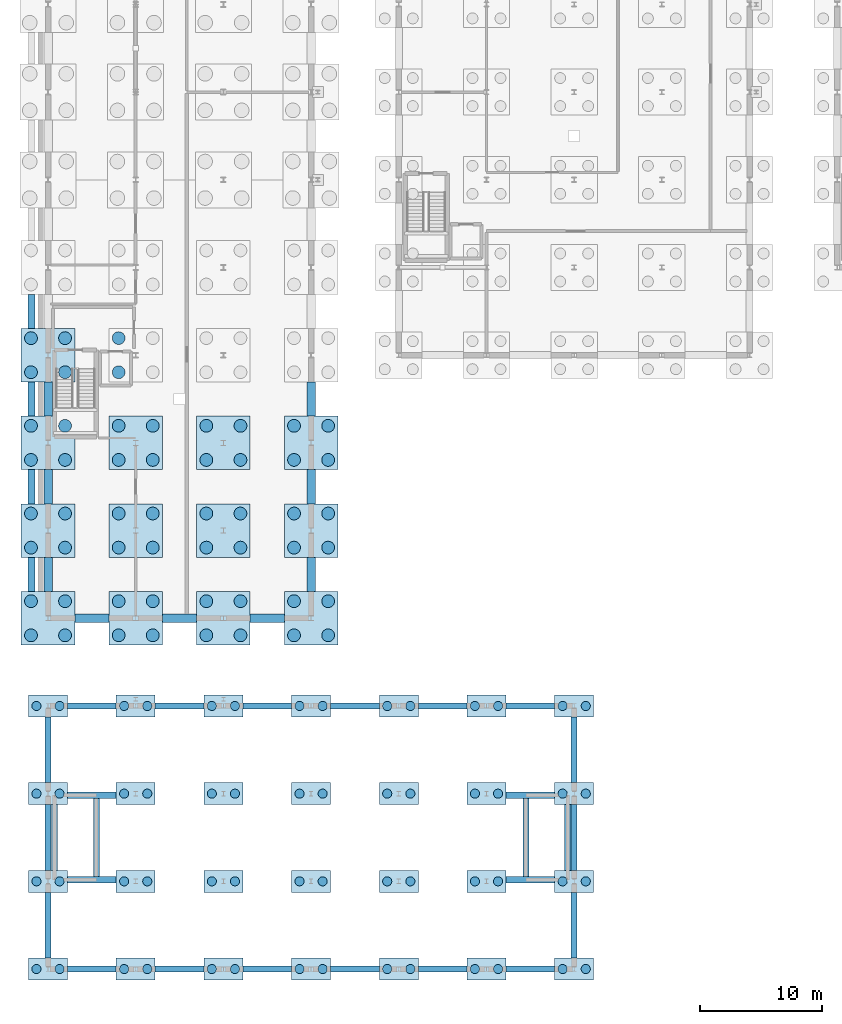
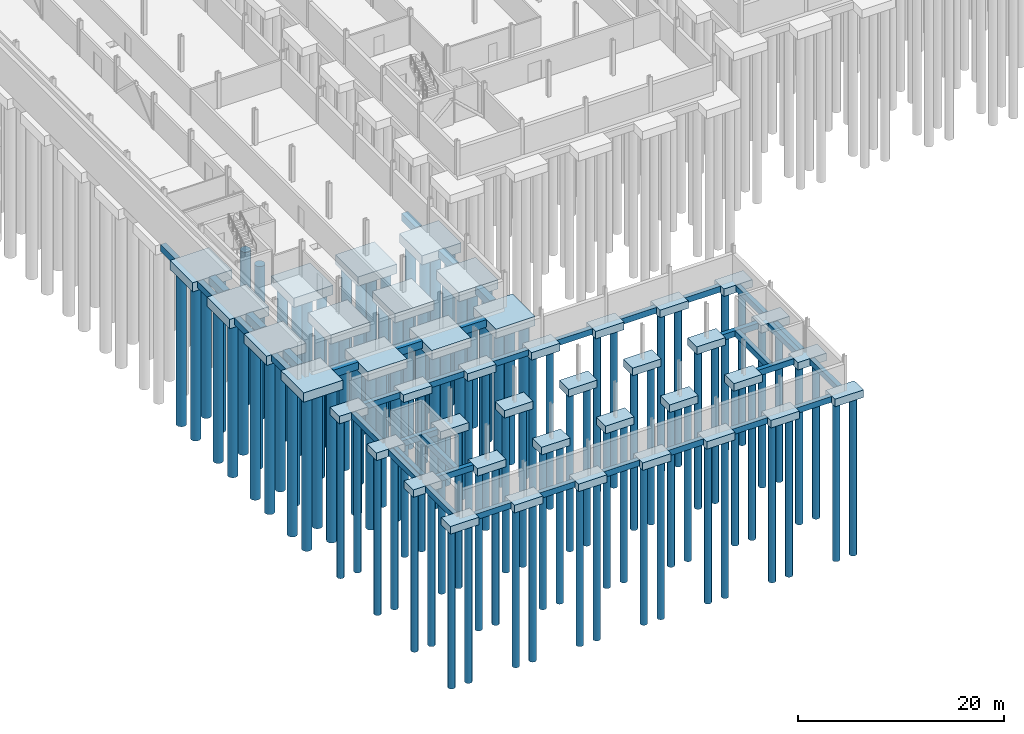
# One storey, part 1 of 50: 110 piles, 80 footings.
"""IFC4 building model written with IfcOpenShell, lengths in metres."""

from ifc_helpers import new_model, si_unit, direction, frame, origin, origin_2d, place, context, subcontext, project, spatial, rectangle, circle, extrude, material, layer, layer_set, material_profile, profile_set, type_object, element, save


model = new_model("IFC4")

# Units and contexts
model_context = context("Model", 3, precision=1e-05, world=origin(), true_north=direction((0.0, 1.0)))
body_context = subcontext(model_context, "Body", "Model", "MODEL_VIEW")
ifc_project = project(units=[si_unit("LENGTHUNIT", "METRE"), si_unit("AREAUNIT", "SQUARE_METRE"), si_unit("VOLUMEUNIT", "CUBIC_METRE"), si_unit("PLANEANGLEUNIT", "RADIAN"), si_unit("MASSUNIT", "GRAM", prefix="KILO")], contexts=[model_context])

# Site, building, storey
site_placement = place(None, origin())
site = spatial("IfcSite", under=ifc_project, at=site_placement, CompositionType="ELEMENT")
building_placement = place(site_placement, origin())
building = spatial("IfcBuilding", under=site, at=building_placement, Name="Narikvali Park Central Library", CompositionType="ELEMENT")
storey_placement = place(building_placement, frame((0.0, 0.0, -4.199951171875)))
storey = spatial("IfcBuildingStorey", under=building, at=storey_placement, Name="B1", CompositionType="ELEMENT", Elevation=-4.199951171875)

# Piles
ifc_material = material(Name="Concrete C35/45", Category="concrete")
ifc_material_profile_1 = material_profile(ifc_material, circle(Radius=0.52490234375, at=origin_2d()), Name="PILE D1050")
ifc_profile_set_1 = profile_set([ifc_material_profile_1], Name="Concrete C35/45")
pile_type_1 = type_object("IfcPileType", Name="Bored Pile D1050", PredefinedType="BORED", material=ifc_profile_set_1)
for number, where, z_axis, x_axis, name in (
    (1, (-1.39990234375, 27.39990234375, -1.60009765625), (0.0, 0.0, -1.0), (1.0, 0.0, 0.0), "Bored Pile (-1.40,27.40)"),
    (2, (1.39990234375, 27.39990234375, -1.60009765625), (0.0, 0.0, -1.0), (1.0, 0.0, 0.0), "Bored Pile (1.40,27.40)"),
    (3, (-1.39990234375, 30.199951171875, -1.60009765625), (0.0, 0.0, -1.0), (1.0, 0.0, 0.0), "Bored Pile (-1.40,30.20)"),
    (4, (1.39990234375, 30.199951171875, -1.60009765625), (0.0, 0.0, -1.0), (1.0, 0.0, 0.0), "Bored Pile (1.40,30.20)"),
    (5, (-1.39990234375, 34.60009765625, -1.60009765625), (0.0, 0.0, -1.0), (1.0, 0.0, 0.0), "Bored Pile (-1.40,34.60)"),
    (6, (1.39990234375, 34.60009765625, -1.60009765625), (0.0, 0.0, -1.0), (1.0, 0.0, 0.0), "Bored Pile (1.40,34.60)"),
    (7, (-1.39990234375, 37.39990234375, -1.60009765625), (0.0, 0.0, -1.0), (1.0, 0.0, 0.0), "Bored Pile (-1.40,37.40)"),
    (8, (1.39990234375, 37.39990234375, -1.60009765625), (0.0, 0.0, -1.0), (1.0, 0.0, 0.0), "Bored Pile (1.40,37.40)"),
    (9, (-1.39990234375, 41.800048828125, -1.60009765625), (0.0, 0.0, -1.0), (1.0, 0.0, 0.0), "Bored Pile (-1.40,41.80)"),
    (10, (1.39990234375, 41.800048828125, -1.60009765625), (0.0, 0.0, -1.0), (1.0, 0.0, 0.0), "Bored Pile (1.40,41.80)"),
    (11, (-1.39990234375, 44.60009765625, -1.60009765625), (0.0, 0.0, -1.0), (1.0, 0.0, 0.0), "Bored Pile (-1.40,44.60)"),
    (12, (1.39990234375, 44.60009765625, -1.60009765625), (0.0, 0.0, -1.0), (1.0, 0.0, 0.0), "Bored Pile (1.40,44.60)"),
    (13, (-1.39990234375, 49.0, -1.60009765625), (0.0, 0.0, -1.0), (1.0, 0.0, 0.0), "Bored Pile (-1.40,49.00)"),
    (14, (1.39990234375, 49.0, -1.60009765625), (0.0, 0.0, -1.0), (1.0, 0.0, 0.0), "Bored Pile (1.40,49.00)"),
    (15, (-1.39990234375, 51.800048828125, -1.60009765625), (0.0, 0.0, -1.0), (1.0, 0.0, 0.0), "Bored Pile (-1.40,51.80)"),
    (16, (1.39990234375, 51.800048828125, -1.60009765625), (0.0, 0.0, -1.0), (1.0, 0.0, 0.0), "Bored Pile (1.40,51.80)"),
    (17, (5.800048828125, 27.39990234375, -1.60009765625), (0.0, 0.0, -1.0), (1.0, 0.0, 0.0), "Bored Pile (5.80,27.40)"),
    (18, (8.60009765625, 27.39990234375, -1.60009765625), (0.0, 0.0, -1.0), (1.0, 0.0, 0.0), "Bored Pile (8.60,27.40)"),
    (19, (5.800048828125, 30.199951171875, -1.60009765625), (0.0, 0.0, -1.0), (1.0, 0.0, 0.0), "Bored Pile (5.80,30.20)"),
    (20, (8.60009765625, 30.199951171875, -1.60009765625), (0.0, 0.0, -1.0), (1.0, 0.0, 0.0), "Bored Pile (8.60,30.20)"),
    (21, (5.800048828125, 34.60009765625, -1.60009765625), (0.0, 0.0, -1.0), (1.0, 0.0, 0.0), "Bored Pile (5.80,34.60)"),
    (22, (8.60009765625, 34.60009765625, -1.60009765625), (0.0, 0.0, -1.0), (1.0, 0.0, 0.0), "Bored Pile (8.60,34.60)"),
    (23, (5.800048828125, 37.39990234375, -1.60009765625), (0.0, 0.0, -1.0), (1.0, 0.0, 0.0), "Bored Pile (5.80,37.40)"),
    (24, (8.60009765625, 37.39990234375, -1.60009765625), (0.0, 0.0, -1.0), (1.0, 0.0, 0.0), "Bored Pile (8.60,37.40)"),
    (25, (5.800048828125, 41.800048828125, -1.60009765625), (0.0, 0.0, -1.0), (1.0, 0.0, 0.0), "Bored Pile (5.80,41.80)"),
    (26, (8.60009765625, 41.800048828125, -1.60009765625), (0.0, 0.0, -1.0), (1.0, 0.0, 0.0), "Bored Pile (8.60,41.80)"),
    (27, (5.800048828125, 44.60009765625, -1.60009765625), (0.0, 0.0, -1.0), (1.0, 0.0, 0.0), "Bored Pile (5.80,44.60)"),
    (28, (8.60009765625, 44.60009765625, -1.60009765625), (0.0, 0.0, -1.0), (1.0, 0.0, 0.0), "Bored Pile (8.60,44.60)"),
    (29, (5.800048828125, 49.0, -1.60009765625), (0.0, 0.0, -1.0), (1.0, 0.0, 0.0), "Bored Pile (5.80,49.00)"),
    (30, (5.800048828125, 51.800048828125, -1.60009765625), (0.0, 0.0, -1.0), (1.0, 0.0, 0.0), "Bored Pile (5.80,51.80)"),
    (31, (13.0, 27.39990234375, -1.60009765625), (0.0, 0.0, -1.0), (1.0, 0.0, 0.0), "Bored Pile (13.00,27.40)"),
    (32, (15.800048828125, 27.39990234375, -1.60009765625), (0.0, 0.0, -1.0), (1.0, 0.0, 0.0), "Bored Pile (15.80,27.40)"),
    (33, (13.0, 30.199951171875, -1.60009765625), (0.0, 0.0, -1.0), (1.0, 0.0, 0.0), "Bored Pile (13.00,30.20)"),
    (34, (15.800048828125, 30.199951171875, -1.60009765625), (0.0, 0.0, -1.0), (1.0, 0.0, 0.0), "Bored Pile (15.80,30.20)"),
    (35, (13.0, 34.60009765625, -1.60009765625), (0.0, 0.0, -1.0), (1.0, 0.0, 0.0), "Bored Pile (13.00,34.60)"),
    (36, (15.800048828125, 34.60009765625, -1.60009765625), (0.0, 0.0, -1.0), (1.0, 0.0, 0.0), "Bored Pile (15.80,34.60)"),
    (37, (13.0, 37.39990234375, -1.60009765625), (0.0, 0.0, -1.0), (1.0, 0.0, 0.0), "Bored Pile (13.00,37.40)"),
    (38, (15.800048828125, 37.39990234375, -1.60009765625), (0.0, 0.0, -1.0), (1.0, 0.0, 0.0), "Bored Pile (15.80,37.40)"),
    (39, (13.0, 41.800048828125, -1.60009765625), (0.0, 0.0, -1.0), (1.0, 0.0, 0.0), "Bored Pile (13.00,41.80)"),
    (40, (15.800048828125, 41.800048828125, -1.60009765625), (0.0, 0.0, -1.0), (1.0, 0.0, 0.0), "Bored Pile (15.80,41.80)"),
    (41, (13.0, 44.60009765625, -1.60009765625), (0.0, 0.0, -1.0), (1.0, 0.0, 0.0), "Bored Pile (13.00,44.60)"),
    (42, (15.800048828125, 44.60009765625, -1.60009765625), (0.0, 0.0, -1.0), (1.0, 0.0, 0.0), "Bored Pile (15.80,44.60)"),
    (43, (20.199951171875, 27.39990234375, -1.60009765625), (0.0, 0.0, -1.0), (1.0, 0.0, 0.0), "Bored Pile (20.20,27.40)"),
    (44, (23.0, 27.39990234375, -1.60009765625), (0.0, 0.0, -1.0), (1.0, 0.0, 0.0), "Bored Pile (23.00,27.40)"),
    (45, (20.199951171875, 30.199951171875, -1.60009765625), (0.0, 0.0, -1.0), (1.0, 0.0, 0.0), "Bored Pile (20.20,30.20)"),
    (46, (23.0, 30.199951171875, -1.60009765625), (0.0, 0.0, -1.0), (1.0, 0.0, 0.0), "Bored Pile (23.00,30.20)"),
    (47, (20.199951171875, 34.60009765625, -1.60009765625), (0.0, 0.0, -1.0), (1.0, 0.0, 0.0), "Bored Pile (20.20,34.60)"),
    (48, (23.0, 34.60009765625, -1.60009765625), (0.0, 0.0, -1.0), (1.0, 0.0, 0.0), "Bored Pile (23.00,34.60)"),
    (49, (20.199951171875, 37.39990234375, -1.60009765625), (0.0, 0.0, -1.0), (1.0, 0.0, 0.0), "Bored Pile (20.20,37.40)"),
    (50, (23.0, 37.39990234375, -1.60009765625), (0.0, 0.0, -1.0), (1.0, 0.0, 0.0), "Bored Pile (23.00,37.40)"),
    (51, (20.199951171875, 41.800048828125, -1.60009765625), (0.0, 0.0, -1.0), (1.0, 0.0, 0.0), "Bored Pile (20.20,41.80)"),
    (52, (23.0, 41.800048828125, -1.60009765625), (0.0, 0.0, -1.0), (1.0, 0.0, 0.0), "Bored Pile (23.00,41.80)"),
    (53, (20.199951171875, 44.60009765625, -1.60009765625), (0.0, 0.0, -1.0), (1.0, 0.0, 0.0), "Bored Pile (20.20,44.60)"),
    (54, (23.0, 44.60009765625, -1.60009765625), (0.0, 0.0, -1.0), (1.0, 0.0, 0.0), "Bored Pile (23.00,44.60)"),
):
    element("IfcPile", number, at=place(storey_placement, frame(where, z_axis=z_axis, x_axis=x_axis)), inside=storey, type_object=pile_type_1, Name=name, PredefinedType="BORED", context=body_context, shape_type="SweptSolid", body=[
        extrude(circle(Radius=0.52490234375, at=origin_2d()), origin(), (0.0, 0.0, 1.0), 18.199951171875),
    ])
ifc_material_profile_2 = material_profile(ifc_material, circle(Radius=0.375, at=origin_2d()), Name="PILE D750")
ifc_profile_set_2 = profile_set([ifc_material_profile_2], Name="Concrete C35/45")
pile_type_2 = type_object("IfcPileType", Name="Bored Pile D750", PredefinedType="BORED", material=ifc_profile_set_2)
for number, where, z_axis, x_axis, name in (
    (55, (-0.949951171875, 0.0, -0.800048828125), (0.0, 0.0, -1.0), (1.0, 0.0, 0.0), "Bored Pile (-0.95,0.00)"),
    (56, (0.949951171875, 0.0, -0.800048828125), (0.0, 0.0, -1.0), (1.0, 0.0, 0.0), "Bored Pile (0.95,0.00)"),
    (57, (-0.949951171875, 7.199951171875, -0.800048828125), (0.0, 0.0, -1.0), (1.0, 0.0, 0.0), "Bored Pile (-0.95,7.20)"),
    (58, (0.949951171875, 7.199951171875, -0.800048828125), (0.0, 0.0, -1.0), (1.0, 0.0, 0.0), "Bored Pile (0.95,7.20)"),
    (59, (-0.949951171875, 14.39990234375, -0.800048828125), (0.0, 0.0, -1.0), (1.0, 0.0, 0.0), "Bored Pile (-0.95,14.40)"),
    (60, (0.949951171875, 14.39990234375, -0.800048828125), (0.0, 0.0, -1.0), (1.0, 0.0, 0.0), "Bored Pile (0.95,14.40)"),
    (61, (-0.949951171875, 21.60009765625, -0.800048828125), (0.0, 0.0, -1.0), (1.0, 0.0, 0.0), "Bored Pile (-0.95,21.60)"),
    (62, (0.949951171875, 21.60009765625, -0.800048828125), (0.0, 0.0, -1.0), (1.0, 0.0, 0.0), "Bored Pile (0.95,21.60)"),
    (63, (6.25, 0.0, -0.800048828125), (0.0, 0.0, -1.0), (1.0, 0.0, 0.0), "Bored Pile (6.25,0.00)"),
    (64, (8.14990234375, 0.0, -0.800048828125), (0.0, 0.0, -1.0), (1.0, 0.0, 0.0), "Bored Pile (8.15,0.00)"),
    (65, (6.25, 7.199951171875, -0.800048828125), (0.0, 0.0, -1.0), (1.0, 0.0, 0.0), "Bored Pile (6.25,7.20)"),
    (66, (8.14990234375, 7.199951171875, -0.800048828125), (0.0, 0.0, -1.0), (1.0, 0.0, 0.0), "Bored Pile (8.15,7.20)"),
    (67, (6.25, 14.39990234375, -0.800048828125), (0.0, 0.0, -1.0), (1.0, 0.0, 0.0), "Bored Pile (6.25,14.40)"),
    (68, (8.14990234375, 14.39990234375, -0.800048828125), (0.0, 0.0, -1.0), (1.0, 0.0, 0.0), "Bored Pile (8.15,14.40)"),
    (69, (6.25, 21.60009765625, -0.800048828125), (0.0, 0.0, -1.0), (1.0, 0.0, 0.0), "Bored Pile (6.25,21.60)"),
    (70, (8.14990234375, 21.60009765625, -0.800048828125), (0.0, 0.0, -1.0), (1.0, 0.0, 0.0), "Bored Pile (8.15,21.60)"),
    (71, (13.449951171875, 0.0, -0.800048828125), (0.0, 0.0, -1.0), (1.0, 0.0, 0.0), "Bored Pile (13.45,0.00)"),
    (72, (15.35009765625, 0.0, -0.800048828125), (0.0, 0.0, -1.0), (1.0, 0.0, 0.0), "Bored Pile (15.35,0.00)"),
    (73, (13.449951171875, 7.199951171875, -0.800048828125), (0.0, 0.0, -1.0), (1.0, 0.0, 0.0), "Bored Pile (13.45,7.20)"),
    (74, (15.35009765625, 7.199951171875, -0.800048828125), (0.0, 0.0, -1.0), (1.0, 0.0, 0.0), "Bored Pile (15.35,7.20)"),
    (75, (13.449951171875, 14.39990234375, -0.800048828125), (0.0, 0.0, -1.0), (1.0, 0.0, 0.0), "Bored Pile (13.45,14.40)"),
    (76, (15.35009765625, 14.39990234375, -0.800048828125), (0.0, 0.0, -1.0), (1.0, 0.0, 0.0), "Bored Pile (15.35,14.40)"),
    (77, (13.449951171875, 21.60009765625, -0.800048828125), (0.0, 0.0, -1.0), (1.0, 0.0, 0.0), "Bored Pile (13.45,21.60)"),
    (78, (15.35009765625, 21.60009765625, -0.800048828125), (0.0, 0.0, -1.0), (1.0, 0.0, 0.0), "Bored Pile (15.35,21.60)"),
    (79, (20.64990234375, 0.0, -0.800048828125), (0.0, 0.0, -1.0), (1.0, 0.0, 0.0), "Bored Pile (20.65,0.00)"),
    (80, (22.550048828125, 0.0, -0.800048828125), (0.0, 0.0, -1.0), (1.0, 0.0, 0.0), "Bored Pile (22.55,0.00)"),
    (81, (20.64990234375, 7.199951171875, -0.800048828125), (0.0, 0.0, -1.0), (1.0, 0.0, 0.0), "Bored Pile (20.65,7.20)"),
    (82, (22.550048828125, 7.199951171875, -0.800048828125), (0.0, 0.0, -1.0), (1.0, 0.0, 0.0), "Bored Pile (22.55,7.20)"),
    (83, (20.64990234375, 14.39990234375, -0.800048828125), (0.0, 0.0, -1.0), (1.0, 0.0, 0.0), "Bored Pile (20.65,14.40)"),
    (84, (22.550048828125, 14.39990234375, -0.800048828125), (0.0, 0.0, -1.0), (1.0, 0.0, 0.0), "Bored Pile (22.55,14.40)"),
    (85, (20.64990234375, 21.60009765625, -0.800048828125), (0.0, 0.0, -1.0), (1.0, 0.0, 0.0), "Bored Pile (20.65,21.60)"),
    (86, (22.550048828125, 21.60009765625, -0.800048828125), (0.0, 0.0, -1.0), (1.0, 0.0, 0.0), "Bored Pile (22.55,21.60)"),
    (87, (27.85009765625, 0.0, -0.800048828125), (0.0, 0.0, -1.0), (1.0, 0.0, 0.0), "Bored Pile (27.85,0.00)"),
    (88, (29.75, 0.0, -0.800048828125), (0.0, 0.0, -1.0), (1.0, 0.0, 0.0), "Bored Pile (29.75,0.00)"),
    (89, (27.85009765625, 7.199951171875, -0.800048828125), (0.0, 0.0, -1.0), (1.0, 0.0, 0.0), "Bored Pile (27.85,7.20)"),
    (90, (29.75, 7.199951171875, -0.800048828125), (0.0, 0.0, -1.0), (1.0, 0.0, 0.0), "Bored Pile (29.75,7.20)"),
    (91, (27.85009765625, 14.39990234375, -0.800048828125), (0.0, 0.0, -1.0), (1.0, 0.0, 0.0), "Bored Pile (27.85,14.40)"),
    (92, (29.75, 14.39990234375, -0.800048828125), (0.0, 0.0, -1.0), (1.0, 0.0, 0.0), "Bored Pile (29.75,14.40)"),
    (93, (27.85009765625, 21.60009765625, -0.800048828125), (0.0, 0.0, -1.0), (1.0, 0.0, 0.0), "Bored Pile (27.85,21.60)"),
    (94, (29.75, 21.60009765625, -0.800048828125), (0.0, 0.0, -1.0), (1.0, 0.0, 0.0), "Bored Pile (29.75,21.60)"),
    (95, (35.050048828125, 0.0, -0.800048828125), (0.0, 0.0, -1.0), (1.0, 0.0, 0.0), "Bored Pile (35.05,0.00)"),
    (96, (36.949951171875, 0.0, -0.800048828125), (0.0, 0.0, -1.0), (1.0, 0.0, 0.0), "Bored Pile (36.95,0.00)"),
    (97, (35.050048828125, 7.199951171875, -0.800048828125), (0.0, 0.0, -1.0), (1.0, 0.0, 0.0), "Bored Pile (35.05,7.20)"),
    (98, (36.949951171875, 7.199951171875, -0.800048828125), (0.0, 0.0, -1.0), (1.0, 0.0, 0.0), "Bored Pile (36.95,7.20)"),
    (99, (35.050048828125, 14.39990234375, -0.800048828125), (0.0, 0.0, -1.0), (1.0, 0.0, 0.0), "Bored Pile (35.05,14.40)"),
    (100, (36.949951171875, 14.39990234375, -0.800048828125), (0.0, 0.0, -1.0), (1.0, 0.0, 0.0), "Bored Pile (36.95,14.40)"),
    (101, (35.050048828125, 21.60009765625, -0.800048828125), (0.0, 0.0, -1.0), (1.0, 0.0, 0.0), "Bored Pile (35.05,21.60)"),
    (102, (36.949951171875, 21.60009765625, -0.800048828125), (0.0, 0.0, -1.0), (1.0, 0.0, 0.0), "Bored Pile (36.95,21.60)"),
    (103, (42.25, 0.0, -0.800048828125), (0.0, 0.0, -1.0), (1.0, 0.0, 0.0), "Bored Pile (42.25,0.00)"),
    (104, (44.14990234375, 0.0, -0.800048828125), (0.0, 0.0, -1.0), (1.0, 0.0, 0.0), "Bored Pile (44.15,0.00)"),
    (105, (42.25, 7.199951171875, -0.800048828125), (0.0, 0.0, -1.0), (1.0, 0.0, 0.0), "Bored Pile (42.25,7.20)"),
    (106, (44.14990234375, 7.199951171875, -0.800048828125), (0.0, 0.0, -1.0), (1.0, 0.0, 0.0), "Bored Pile (44.15,7.20)"),
    (107, (42.25, 14.39990234375, -0.800048828125), (0.0, 0.0, -1.0), (1.0, 0.0, 0.0), "Bored Pile (42.25,14.40)"),
    (108, (44.14990234375, 14.39990234375, -0.800048828125), (0.0, 0.0, -1.0), (1.0, 0.0, 0.0), "Bored Pile (44.15,14.40)"),
    (109, (42.25, 21.60009765625, -0.800048828125), (0.0, 0.0, -1.0), (1.0, 0.0, 0.0), "Bored Pile (42.25,21.60)"),
    (110, (44.14990234375, 21.60009765625, -0.800048828125), (0.0, 0.0, -1.0), (1.0, 0.0, 0.0), "Bored Pile (44.15,21.60)"),
):
    element("IfcPile", number, at=place(storey_placement, frame(where, z_axis=z_axis, x_axis=x_axis)), inside=storey, type_object=pile_type_2, Name=name, PredefinedType="BORED", context=body_context, shape_type="SweptSolid", body=[
        extrude(circle(Radius=0.375, at=origin_2d()), origin(), (0.0, 0.0, 1.0), 19.0),
    ])

# Footings
ifc_material_profile_3 = material_profile(ifc_material, rectangle(XDim=0.60009765625, YDim=0.800048828125, at=origin_2d()), Name="RC GB 600x800")
ifc_profile_set_3 = profile_set([ifc_material_profile_3], Name="Concrete C35/45")
footing_type_1 = type_object("IfcFootingType", Name="Foundation Strip Tie Footing 600x800", PredefinedType="STRIP_FOOTING", material=ifc_profile_set_3)
for number, where, z_axis, x_axis, name in (
    (111, (-1.35009765625, 31.0, -1.0), (0.0, 1.0, 0.0), (-1.0, 0.0, 0.0), "West Stacks Fin Tie Footing (28.8..36.0)"),
    (112, (-1.35009765625, 38.199951171875, -1.0), (0.0, 1.0, 0.0), (-1.0, 0.0, 0.0), "West Stacks Fin Tie Footing (36.0..43.2)"),
    (113, (-1.35009765625, 45.39990234375, -1.0), (0.0, 1.0, 0.0), (-1.0, 0.0, 0.0), "West Stacks Fin Tie Footing (43.2..50.4)"),
):
    element("IfcFooting", number, at=place(storey_placement, frame(where, z_axis=z_axis, x_axis=x_axis)), inside=storey, type_object=footing_type_1, Name=name, PredefinedType="STRIP_FOOTING", context=body_context, shape_type="SweptSolid", body=[
        extrude(rectangle(XDim=0.60009765625, YDim=0.800048828125, at=origin_2d()), origin(), (0.0, 0.0, 1.0), 2.800048828125),
    ])
footing_1_placement = place(storey_placement, frame((-1.35009765625, 52.60009765625, -1.0), z_axis=(0.0, 1.0, 0.0), x_axis=(-1.0, 0.0, 0.0)))
element("IfcFooting", 114, at=footing_1_placement, inside=storey, type_object=footing_type_1, Name="West Stacks Fin Tie Footing (50.4..57.6)", PredefinedType="STRIP_FOOTING", context=body_context, shape_type="SweptSolid", body=[
    extrude(rectangle(XDim=0.60009765625, YDim=0.800048828125, at=origin_2d()), origin(), (0.0, 0.0, 1.0), 2.7998046875),
])
ifc_layer_1 = layer(ifc_material, 1.10009765625, Name="Concrete C35/45")
ifc_layer_set_1 = layer_set([ifc_layer_1], Name="Concrete C35/45")
footing_type_2 = type_object("IfcFootingType", Name="Four Pile Cap 4400x4400x1100", PredefinedType="PILE_CAP", material=ifc_layer_set_1)
for number, where, z_axis, x_axis, name in (
    (115, (0.0, 28.800048828125, -1.7001953125), (0.0, 0.0, 1.0), (1.0, 0.0, 0.0), "Pile Cap (0.0,28.8)"),
    (116, (0.0, 36.0, -1.7001953125), (0.0, 0.0, 1.0), (1.0, 0.0, 0.0), "Pile Cap (0.0,36.0)"),
    (117, (0.0, 43.199951171875, -1.7001953125), (0.0, 0.0, 1.0), (1.0, 0.0, 0.0), "Pile Cap (0.0,43.2)"),
    (118, (0.0, 50.39990234375, -1.7001953125), (0.0, 0.0, 1.0), (1.0, 0.0, 0.0), "Pile Cap (0.0,50.4)"),
    (119, (7.199951171875, 28.800048828125, -1.7001953125), (0.0, 0.0, 1.0), (1.0, 0.0, 0.0), "Pile Cap (7.2,28.8)"),
    (120, (7.199951171875, 36.0, -1.7001953125), (0.0, 0.0, 1.0), (1.0, 0.0, 0.0), "Pile Cap (7.2,36.0)"),
    (121, (7.199951171875, 43.199951171875, -1.7001953125), (0.0, 0.0, 1.0), (1.0, 0.0, 0.0), "Pile Cap (7.2,43.2)"),
    (122, (14.39990234375, 28.800048828125, -1.7001953125), (0.0, 0.0, 1.0), (1.0, 0.0, 0.0), "Pile Cap (14.4,28.8)"),
    (123, (14.39990234375, 36.0, -1.7001953125), (0.0, 0.0, 1.0), (1.0, 0.0, 0.0), "Pile Cap (14.4,36.0)"),
    (124, (14.39990234375, 43.199951171875, -1.7001953125), (0.0, 0.0, 1.0), (1.0, 0.0, 0.0), "Pile Cap (14.4,43.2)"),
    (125, (21.60009765625, 28.800048828125, -1.7001953125), (0.0, 0.0, 1.0), (1.0, 0.0, 0.0), "Pile Cap (21.6,28.8)"),
    (126, (21.60009765625, 36.0, -1.7001953125), (0.0, 0.0, 1.0), (1.0, 0.0, 0.0), "Pile Cap (21.6,36.0)"),
    (127, (21.60009765625, 43.199951171875, -1.7001953125), (0.0, 0.0, 1.0), (1.0, 0.0, 0.0), "Pile Cap (21.6,43.2)"),
):
    element("IfcFooting", number, at=place(storey_placement, frame(where, z_axis=z_axis, x_axis=x_axis)), inside=storey, type_object=footing_type_2, Name=name, PredefinedType="PILE_CAP", context=body_context, shape_type="SweptSolid", body=[
        extrude(rectangle(XDim=4.39990234375, YDim=4.39990234375, at=origin_2d()), origin(), (0.0, 0.0, 1.0), 1.10009765625),
    ])
ifc_material_profile_4 = material_profile(ifc_material, rectangle(XDim=0.699951171875, YDim=0.89990234375, at=origin_2d()), Name="RC GB 700x900")
ifc_profile_set_4 = profile_set([ifc_material_profile_4], Name="Concrete C35/45")
footing_type_3 = type_object("IfcFootingType", Name="Heavy Archive Tie Footing 700x900", PredefinedType="STRIP_FOOTING", material=ifc_profile_set_4)
for number, where, z_axis, x_axis, name in (
    (128, (2.199951171875, 28.800048828125, -1.0), (1.0, 0.0, 0.0), (0.0, 1.0, 0.0), "V5 Foundation Tie Beam X"),
    (129, (9.39990234375, 28.800048828125, -1.0), (1.0, 0.0, 0.0), (0.0, 1.0, 0.0), "V5 Foundation Tie Beam X"),
):
    element("IfcFooting", number, at=place(storey_placement, frame(where, z_axis=z_axis, x_axis=x_axis)), inside=storey, type_object=footing_type_3, Name=name, PredefinedType="STRIP_FOOTING", context=body_context, shape_type="SweptSolid", body=[
        extrude(rectangle(XDim=0.699951171875, YDim=0.89990234375, at=origin_2d()), origin(), (0.0, 0.0, 1.0), 2.800048828125),
    ])
footing_2_placement = place(storey_placement, frame((16.60009765625, 28.800048828125, -1.0), z_axis=(1.0, 0.0, 0.0), x_axis=(0.0, 1.0, 0.0)))
element("IfcFooting", 130, at=footing_2_placement, inside=storey, type_object=footing_type_3, Name="V5 Foundation Tie Beam X", PredefinedType="STRIP_FOOTING", context=body_context, shape_type="SweptSolid", body=[
    extrude(rectangle(XDim=0.699951171875, YDim=0.89990234375, at=origin_2d()), origin(), (0.0, 0.0, 1.0), 2.7998046875),
])
for number, where, z_axis, x_axis, name in (
    (131, (0.0, 31.0, -1.0), (0.0, 1.0, 0.0), (-1.0, 0.0, 0.0), "V5 Foundation Tie Beam Y"),
    (132, (0.0, 38.199951171875, -1.0), (0.0, 1.0, 0.0), (-1.0, 0.0, 0.0), "V5 Foundation Tie Beam Y"),
    (133, (0.0, 45.39990234375, -1.0), (0.0, 1.0, 0.0), (-1.0, 0.0, 0.0), "V5 Foundation Tie Beam Y"),
    (134, (21.60009765625, 31.0, -1.0), (0.0, 1.0, 0.0), (-1.0, 0.0, 0.0), "V5 Foundation Tie Beam Y"),
    (135, (21.60009765625, 38.199951171875, -1.0), (0.0, 1.0, 0.0), (-1.0, 0.0, 0.0), "V5 Foundation Tie Beam Y"),
    (136, (21.60009765625, 45.39990234375, -1.0), (0.0, 1.0, 0.0), (-1.0, 0.0, 0.0), "V5 Foundation Tie Beam Y"),
):
    element("IfcFooting", number, at=place(storey_placement, frame(where, z_axis=z_axis, x_axis=x_axis)), inside=storey, type_object=footing_type_3, Name=name, PredefinedType="STRIP_FOOTING", context=body_context, shape_type="SweptSolid", body=[
        extrude(rectangle(XDim=0.699951171875, YDim=0.89990234375, at=origin_2d()), origin(), (0.0, 0.0, 1.0), 2.800048828125),
    ])
ifc_material_profile_5 = material_profile(ifc_material, rectangle(XDim=0.5, YDim=0.699951171875, at=origin_2d()), Name="RC GB 500x700")
ifc_profile_set_5 = profile_set([ifc_material_profile_5], Name="Concrete C35/45")
footing_type_4 = type_object("IfcFootingType", Name="Pavilion Strip Tie Footing 500x700", PredefinedType="STRIP_FOOTING", material=ifc_profile_set_5)
for number, where, z_axis, x_axis, name in (
    (137, (1.60009765625, 0.0, -0.400146484375), (1.0, 0.0, 0.0), (0.0, 1.0, 0.0), "V2 Foundation Tie Beam X"),
    (138, (8.800048828125, 0.0, -0.400146484375), (1.0, 0.0, 0.0), (0.0, 1.0, 0.0), "V2 Foundation Tie Beam X"),
    (139, (16.0, 0.0, -0.400146484375), (1.0, 0.0, 0.0), (0.0, 1.0, 0.0), "V2 Foundation Tie Beam X"),
    (140, (23.199951171875, 0.0, -0.400146484375), (1.0, 0.0, 0.0), (0.0, 1.0, 0.0), "V2 Foundation Tie Beam X"),
    (141, (30.39990234375, 0.0, -0.400146484375), (1.0, 0.0, 0.0), (0.0, 1.0, 0.0), "V2 Foundation Tie Beam X"),
    (142, (37.60009765625, 0.0, -0.400146484375), (1.0, 0.0, 0.0), (0.0, 1.0, 0.0), "V2 Foundation Tie Beam X"),
    (143, (1.60009765625, 21.60009765625, -0.400146484375), (1.0, 0.0, 0.0), (0.0, 1.0, 0.0), "V2 Foundation Tie Beam X"),
    (144, (8.800048828125, 21.60009765625, -0.400146484375), (1.0, 0.0, 0.0), (0.0, 1.0, 0.0), "V2 Foundation Tie Beam X"),
    (145, (16.0, 21.60009765625, -0.400146484375), (1.0, 0.0, 0.0), (0.0, 1.0, 0.0), "V2 Foundation Tie Beam X"),
    (146, (23.199951171875, 21.60009765625, -0.400146484375), (1.0, 0.0, 0.0), (0.0, 1.0, 0.0), "V2 Foundation Tie Beam X"),
    (147, (30.39990234375, 21.60009765625, -0.400146484375), (1.0, 0.0, 0.0), (0.0, 1.0, 0.0), "V2 Foundation Tie Beam X"),
    (148, (37.60009765625, 21.60009765625, -0.400146484375), (1.0, 0.0, 0.0), (0.0, 1.0, 0.0), "V2 Foundation Tie Beam X"),
):
    element("IfcFooting", number, at=place(storey_placement, frame(where, z_axis=z_axis, x_axis=x_axis)), inside=storey, type_object=footing_type_4, Name=name, PredefinedType="STRIP_FOOTING", context=body_context, shape_type="SweptSolid", body=[
        extrude(rectangle(XDim=0.5, YDim=0.699951171875, at=origin_2d()), origin(), (0.0, 0.0, 1.0), 4.0),
    ])
footing_3_placement = place(storey_placement, frame((0.0, 0.89990234375, -0.400146484375), z_axis=(0.0, 1.0, 0.0), x_axis=(-1.0, 0.0, 0.0)))
element("IfcFooting", 149, at=footing_3_placement, inside=storey, type_object=footing_type_4, Name="V2 Foundation Tie Beam Y", PredefinedType="STRIP_FOOTING", context=body_context, shape_type="SweptSolid", body=[
    extrude(rectangle(XDim=0.5, YDim=0.699951171875, at=origin_2d()), origin(), (0.0, 0.0, 1.0), 5.400146484375),
])
for number, where, z_axis, x_axis, name in (
    (150, (0.0, 8.10009765625, -0.400146484375), (0.0, 1.0, 0.0), (-1.0, 0.0, 0.0), "V2 Foundation Tie Beam Y"),
    (151, (0.0, 15.300048828125, -0.400146484375), (0.0, 1.0, 0.0), (-1.0, 0.0, 0.0), "V2 Foundation Tie Beam Y"),
):
    element("IfcFooting", number, at=place(storey_placement, frame(where, z_axis=z_axis, x_axis=x_axis)), inside=storey, type_object=footing_type_4, Name=name, PredefinedType="STRIP_FOOTING", context=body_context, shape_type="SweptSolid", body=[
        extrude(rectangle(XDim=0.5, YDim=0.699951171875, at=origin_2d()), origin(), (0.0, 0.0, 1.0), 5.39990234375),
    ])
footing_4_placement = place(storey_placement, frame((43.199951171875, 0.89990234375, -0.400146484375), z_axis=(0.0, 1.0, 0.0), x_axis=(-1.0, 0.0, 0.0)))
element("IfcFooting", 152, at=footing_4_placement, inside=storey, type_object=footing_type_4, Name="V2 Foundation Tie Beam Y", PredefinedType="STRIP_FOOTING", context=body_context, shape_type="SweptSolid", body=[
    extrude(rectangle(XDim=0.5, YDim=0.699951171875, at=origin_2d()), origin(), (0.0, 0.0, 1.0), 5.400146484375),
])
for number, where, z_axis, x_axis, name in (
    (153, (43.199951171875, 8.10009765625, -0.400146484375), (0.0, 1.0, 0.0), (-1.0, 0.0, 0.0), "V2 Foundation Tie Beam Y"),
    (154, (43.199951171875, 15.300048828125, -0.400146484375), (0.0, 1.0, 0.0), (-1.0, 0.0, 0.0), "V2 Foundation Tie Beam Y"),
):
    element("IfcFooting", number, at=place(storey_placement, frame(where, z_axis=z_axis, x_axis=x_axis)), inside=storey, type_object=footing_type_4, Name=name, PredefinedType="STRIP_FOOTING", context=body_context, shape_type="SweptSolid", body=[
        extrude(rectangle(XDim=0.5, YDim=0.699951171875, at=origin_2d()), origin(), (0.0, 0.0, 1.0), 5.39990234375),
    ])
for number, where, z_axis, x_axis, name in (
    (155, (1.60009765625, 7.330078125, -0.35009765625), (1.0, 0.0, 0.0), (0.0, 1.0, 0.0), "C2A Core Foundation Footing S"),
    (156, (1.60009765625, 14.27001953125, -0.35009765625), (1.0, 0.0, 0.0), (0.0, 1.0, 0.0), "C2A Core Foundation Footing N"),
):
    element("IfcFooting", number, at=place(storey_placement, frame(where, z_axis=z_axis, x_axis=x_axis)), inside=storey, type_object=footing_type_4, Name=name, PredefinedType="STRIP_FOOTING", context=body_context, shape_type="SweptSolid", body=[
        extrude(rectangle(XDim=0.5, YDim=0.699951171875, at=origin_2d()), origin(), (0.0, 0.0, 1.0), 4.0),
    ])
footing_5_placement = place(storey_placement, frame((0.530029296875, 8.10009765625, -0.35009765625), z_axis=(0.0, 1.0, 0.0), x_axis=(-1.0, 0.0, 0.0)))
element("IfcFooting", 157, at=footing_5_placement, inside=storey, type_object=footing_type_4, Name="C2A Core Foundation Footing W", PredefinedType="STRIP_FOOTING", context=body_context, shape_type="SweptSolid", body=[
    extrude(rectangle(XDim=0.5, YDim=0.699951171875, at=origin_2d()), origin(), (0.0, 0.0, 1.0), 5.39990234375),
])
footing_6_placement = place(storey_placement, frame((3.969970703125, 7.580078125, -0.35009765625), z_axis=(0.0, 1.0, 0.0), x_axis=(-1.0, 0.0, 0.0)))
element("IfcFooting", 158, at=footing_6_placement, inside=storey, type_object=footing_type_4, Name="C2A Core Foundation Footing E", PredefinedType="STRIP_FOOTING", context=body_context, shape_type="SweptSolid", body=[
    extrude(rectangle(XDim=0.5, YDim=0.699951171875, at=origin_2d()), origin(), (0.0, 0.0, 1.0), 6.43994140625),
])
for number, where, z_axis, x_axis, name in (
    (159, (37.60009765625, 7.330078125, -0.35009765625), (1.0, 0.0, 0.0), (0.0, 1.0, 0.0), "C2B Core Foundation Footing S"),
    (160, (37.60009765625, 14.27001953125, -0.35009765625), (1.0, 0.0, 0.0), (0.0, 1.0, 0.0), "C2B Core Foundation Footing N"),
):
    element("IfcFooting", number, at=place(storey_placement, frame(where, z_axis=z_axis, x_axis=x_axis)), inside=storey, type_object=footing_type_4, Name=name, PredefinedType="STRIP_FOOTING", context=body_context, shape_type="SweptSolid", body=[
        extrude(rectangle(XDim=0.5, YDim=0.699951171875, at=origin_2d()), origin(), (0.0, 0.0, 1.0), 4.0),
    ])
footing_7_placement = place(storey_placement, frame((39.22998046875, 7.580078125, -0.35009765625), z_axis=(0.0, 1.0, 0.0), x_axis=(-1.0, 0.0, 0.0)))
element("IfcFooting", 161, at=footing_7_placement, inside=storey, type_object=footing_type_4, Name="C2B Core Foundation Footing W", PredefinedType="STRIP_FOOTING", context=body_context, shape_type="SweptSolid", body=[
    extrude(rectangle(XDim=0.5, YDim=0.699951171875, at=origin_2d()), origin(), (0.0, 0.0, 1.0), 6.43994140625),
])
footing_8_placement = place(storey_placement, frame((42.669921875, 8.10009765625, -0.35009765625), z_axis=(0.0, 1.0, 0.0), x_axis=(-1.0, 0.0, 0.0)))
element("IfcFooting", 162, at=footing_8_placement, inside=storey, type_object=footing_type_4, Name="C2B Core Foundation Footing E", PredefinedType="STRIP_FOOTING", context=body_context, shape_type="SweptSolid", body=[
    extrude(rectangle(XDim=0.5, YDim=0.699951171875, at=origin_2d()), origin(), (0.0, 0.0, 1.0), 5.39990234375),
])
ifc_layer_2 = layer(ifc_material, 0.89990234375, Name="Concrete C35/45")
ifc_layer_set_2 = layer_set([ifc_layer_2], Name="Concrete C35/45")
footing_type_5 = type_object("IfcFootingType", Name="Two Pile Cap 3200x1800x900", PredefinedType="PILE_CAP", material=ifc_layer_set_2)
for number, where, z_axis, x_axis, name in (
    (163, (0.0, 0.0, -0.89990234375), (0.0, 0.0, 1.0), (1.0, 0.0, 0.0), "Pile Cap (0.0,0.0)"),
    (164, (0.0, 7.199951171875, -0.89990234375), (0.0, 0.0, 1.0), (1.0, 0.0, 0.0), "Pile Cap (0.0,7.2)"),
    (165, (0.0, 14.39990234375, -0.89990234375), (0.0, 0.0, 1.0), (1.0, 0.0, 0.0), "Pile Cap (0.0,14.4)"),
    (166, (0.0, 21.60009765625, -0.89990234375), (0.0, 0.0, 1.0), (1.0, 0.0, 0.0), "Pile Cap (0.0,21.6)"),
    (167, (7.199951171875, 0.0, -0.89990234375), (0.0, 0.0, 1.0), (1.0, 0.0, 0.0), "Pile Cap (7.2,0.0)"),
    (168, (7.199951171875, 7.199951171875, -0.89990234375), (0.0, 0.0, 1.0), (1.0, 0.0, 0.0), "Pile Cap (7.2,7.2)"),
    (169, (7.199951171875, 14.39990234375, -0.89990234375), (0.0, 0.0, 1.0), (1.0, 0.0, 0.0), "Pile Cap (7.2,14.4)"),
    (170, (7.199951171875, 21.60009765625, -0.89990234375), (0.0, 0.0, 1.0), (1.0, 0.0, 0.0), "Pile Cap (7.2,21.6)"),
    (171, (14.39990234375, 0.0, -0.89990234375), (0.0, 0.0, 1.0), (1.0, 0.0, 0.0), "Pile Cap (14.4,0.0)"),
    (172, (14.39990234375, 7.199951171875, -0.89990234375), (0.0, 0.0, 1.0), (1.0, 0.0, 0.0), "Pile Cap (14.4,7.2)"),
    (173, (14.39990234375, 14.39990234375, -0.89990234375), (0.0, 0.0, 1.0), (1.0, 0.0, 0.0), "Pile Cap (14.4,14.4)"),
    (174, (14.39990234375, 21.60009765625, -0.89990234375), (0.0, 0.0, 1.0), (1.0, 0.0, 0.0), "Pile Cap (14.4,21.6)"),
    (175, (21.60009765625, 0.0, -0.89990234375), (0.0, 0.0, 1.0), (1.0, 0.0, 0.0), "Pile Cap (21.6,0.0)"),
    (176, (21.60009765625, 7.199951171875, -0.89990234375), (0.0, 0.0, 1.0), (1.0, 0.0, 0.0), "Pile Cap (21.6,7.2)"),
    (177, (21.60009765625, 14.39990234375, -0.89990234375), (0.0, 0.0, 1.0), (1.0, 0.0, 0.0), "Pile Cap (21.6,14.4)"),
    (178, (21.60009765625, 21.60009765625, -0.89990234375), (0.0, 0.0, 1.0), (1.0, 0.0, 0.0), "Pile Cap (21.6,21.6)"),
    (179, (28.800048828125, 0.0, -0.89990234375), (0.0, 0.0, 1.0), (1.0, 0.0, 0.0), "Pile Cap (28.8,0.0)"),
    (180, (28.800048828125, 7.199951171875, -0.89990234375), (0.0, 0.0, 1.0), (1.0, 0.0, 0.0), "Pile Cap (28.8,7.2)"),
    (181, (28.800048828125, 14.39990234375, -0.89990234375), (0.0, 0.0, 1.0), (1.0, 0.0, 0.0), "Pile Cap (28.8,14.4)"),
    (182, (28.800048828125, 21.60009765625, -0.89990234375), (0.0, 0.0, 1.0), (1.0, 0.0, 0.0), "Pile Cap (28.8,21.6)"),
    (183, (36.0, 0.0, -0.89990234375), (0.0, 0.0, 1.0), (1.0, 0.0, 0.0), "Pile Cap (36.0,0.0)"),
    (184, (36.0, 7.199951171875, -0.89990234375), (0.0, 0.0, 1.0), (1.0, 0.0, 0.0), "Pile Cap (36.0,7.2)"),
    (185, (36.0, 14.39990234375, -0.89990234375), (0.0, 0.0, 1.0), (1.0, 0.0, 0.0), "Pile Cap (36.0,14.4)"),
    (186, (36.0, 21.60009765625, -0.89990234375), (0.0, 0.0, 1.0), (1.0, 0.0, 0.0), "Pile Cap (36.0,21.6)"),
    (187, (43.199951171875, 0.0, -0.89990234375), (0.0, 0.0, 1.0), (1.0, 0.0, 0.0), "Pile Cap (43.2,0.0)"),
    (188, (43.199951171875, 7.199951171875, -0.89990234375), (0.0, 0.0, 1.0), (1.0, 0.0, 0.0), "Pile Cap (43.2,7.2)"),
    (189, (43.199951171875, 14.39990234375, -0.89990234375), (0.0, 0.0, 1.0), (1.0, 0.0, 0.0), "Pile Cap (43.2,14.4)"),
    (190, (43.199951171875, 21.60009765625, -0.89990234375), (0.0, 0.0, 1.0), (1.0, 0.0, 0.0), "Pile Cap (43.2,21.6)"),
):
    element("IfcFooting", number, at=place(storey_placement, frame(where, z_axis=z_axis, x_axis=x_axis)), inside=storey, type_object=footing_type_5, Name=name, PredefinedType="PILE_CAP", context=body_context, shape_type="SweptSolid", body=[
        extrude(rectangle(XDim=3.199951171875, YDim=1.800048828125, at=origin_2d()), origin(), (0.0, 0.0, 1.0), 0.89990234375),
    ])

save(model, "model.ifc")
